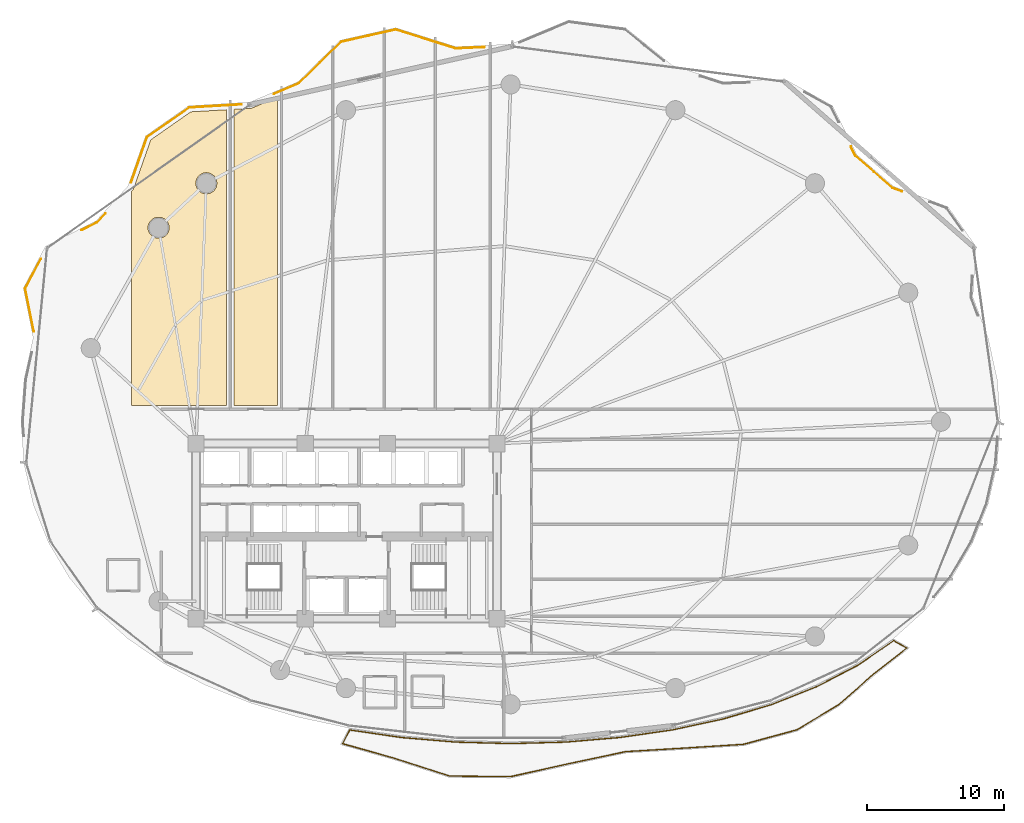
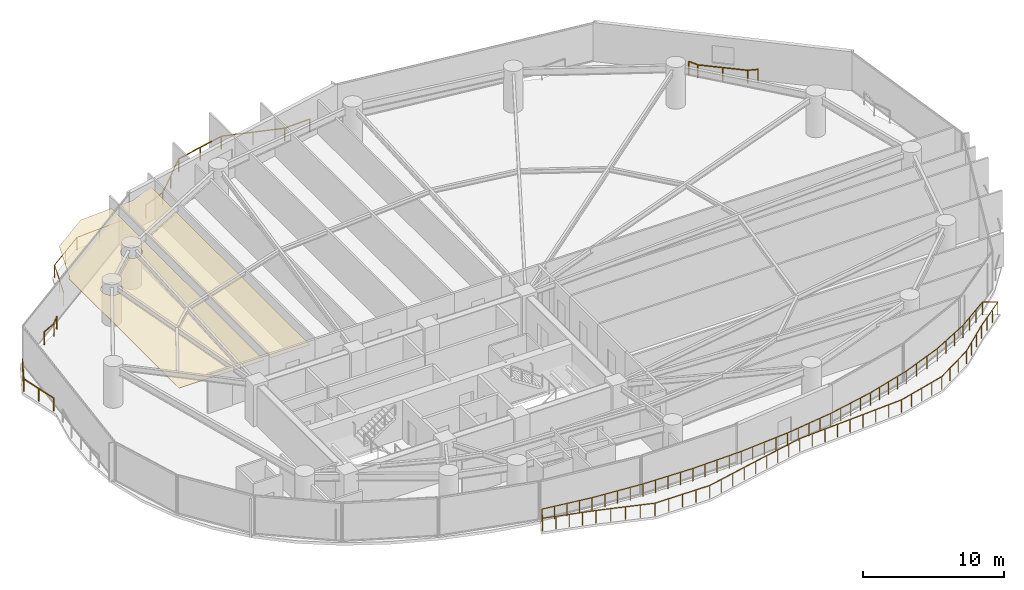
# One storey, part 31 of 32: 6 railings, 2 coverings.
"""IFC4 building model written with IfcOpenShell, lengths in metres."""

from ifc_helpers import new_model, si_unit, direction, frame, origin, origin_2d, place, context, subcontext, project, spatial, polyline, rectangle, outline, extrude, material, layer, layer_set, type_object, element, save


model = new_model("IFC4")

# Units and contexts
model_context = context("Model", 3, precision=1e-05, world=origin(), true_north=direction((0.0, 1.0)))
body_context = subcontext(model_context, "Body", "Model", "MODEL_VIEW")
ifc_project = project(units=[si_unit("LENGTHUNIT", "METRE"), si_unit("AREAUNIT", "SQUARE_METRE"), si_unit("VOLUMEUNIT", "CUBIC_METRE"), si_unit("PLANEANGLEUNIT", "RADIAN"), si_unit("MASSUNIT", "GRAM", prefix="KILO")], contexts=[model_context])

# Site, building, storey
site_placement = place(None, origin())
site = spatial("IfcSite", under=ifc_project, at=site_placement, CompositionType="ELEMENT")
building_placement = place(site_placement, origin())
building = spatial("IfcBuilding", under=site, at=building_placement, Name="Kazevale Care Tower and Concert Hall", CompositionType="ELEMENT")
storey_placement = place(building_placement, frame((0.0, 0.0, 38.39990234375)))
storey = spatial("IfcBuildingStorey", under=building, at=storey_placement, Name="L09", CompositionType="ELEMENT", Elevation=38.39990234375)

# Coverings
ifc_material_1 = material(Name="Acoustic Plaster and Hinoki Wood", Category="wood")
ifc_layer = layer(ifc_material_1, 0.0400390625)
ifc_layer_set = layer_set([ifc_layer], Name="Acoustic Plaster and Hinoki Wood")
covering_type = type_object("IfcCoveringType", Name="Acoustic Perforated Wood-Gypsum Ceiling", PredefinedType="CEILING", material=ifc_layer_set)
covering_1_placement = place(storey_placement, frame((0.0, 0.0, 2.710205078125)))
element("IfcCovering", 1, at=covering_1_placement, inside=storey, type_object=covering_type, Name="clg:L09:1", PredefinedType="CEILING", context=body_context, shape_type="SweptSolid", body=[
    extrude(outline(polyline([(24.219970703125, 60.805908203125), (24.219970703125, 39.205078125), (17.280029296875, 39.205078125), (17.280029296875, 54.822021484375), (17.4130859375, 54.966064453125), (18.69189453125, 58.60302734375), (21.6201171875, 60.652099609375), (24.219970703125, 60.805908203125)]), holes=[polyline([(23.48095703125, 55.72802734375), (23.31201171875, 55.98193359375), (23.05810546875, 56.15087890625), (22.760009765625, 56.2099609375), (22.4619140625, 56.15087890625), (22.2080078125, 55.98193359375), (22.0390625, 55.72802734375), (21.97998046875, 55.429931640625), (22.0390625, 55.132080078125), (22.2080078125, 54.8779296875), (22.4619140625, 54.708984375), (22.760009765625, 54.64990234375), (23.05810546875, 54.708984375), (23.31201171875, 54.8779296875), (23.48095703125, 55.132080078125), (23.5400390625, 55.429931640625), (23.48095703125, 55.72802734375)]), polyline([(20.034912109375, 52.33203125), (19.9189453125, 52.613037109375), (19.702880859375, 52.8291015625), (19.422119140625, 52.945068359375), (19.117919921875, 52.945068359375), (18.8369140625, 52.8291015625), (18.62109375, 52.613037109375), (18.5048828125, 52.33203125), (18.5048828125, 52.028076171875), (18.62109375, 51.7470703125), (18.8369140625, 51.531005859375), (19.117919921875, 51.4150390625), (19.422119140625, 51.4150390625), (19.702880859375, 51.531005859375), (19.9189453125, 51.7470703125), (20.034912109375, 52.028076171875), (20.034912109375, 52.33203125)])]), origin(), (0.0, 0.0, 1.0), 0.039794921875),
])
covering_2_placement = place(storey_placement, frame((0.0, 0.0, 2.710205078125)))
element("IfcCovering", 2, at=covering_2_placement, inside=storey, type_object=covering_type, Name="clg:L09:2", PredefinedType="CEILING", context=body_context, shape_type="SweptSolid", body=[
    extrude(outline(polyline([(24.780029296875, 39.205078125), (24.780029296875, 60.839111328125), (26.06005859375, 60.9150390625), (27.969970703125, 61.72900390625), (27.969970703125, 39.205078125), (24.780029296875, 39.205078125)])), origin(), (0.0, 0.0, 1.0), 0.039794921875),
])

# Railings
ifc_material_2 = material(Name="Anodised Bronze Aluminium and Laminated Glass", Category="aluminium")
railing_type = type_object("IfcRailingType", Name="Balcony and Terrace Balustrade 1120", PredefinedType="BALUSTRADE", material=ifc_material_2)
railing_1_placement = place(storey_placement, frame((10.15087890625, 44.5859375, 0.0)))
element("IfcRailing", 3, at=railing_1_placement, inside=storey, type_object=railing_type, Name="rail:L09:perim:2", PredefinedType="BALUSTRADE", context=body_context, shape_type="SweptSolid", body=[
    extrude(rectangle(XDim=0.048095703125, YDim=0.048095703125, at=origin_2d()), frame((0.0, 0.0, 1.09619140625), z_axis=(-0.197415517723, 0.980319903584, 0.0), x_axis=(-0.980319903584, -0.197415517723, 0.0)), (0.0, 0.0, 1.0), 3.21533203125),
    extrude(rectangle(XDim=0.048095703125, YDim=0.048095703125, at=origin_2d()), frame((-0.634765625, 3.152099609375, 1.09619140625), z_axis=(0.467294009077, 0.884101978892, 0.0), x_axis=(-0.884101978892, 0.467294009077, 0.0)), (0.0, 0.0, 1.0), 2.45654296875),
    extrude(rectangle(XDim=0.0419921875, YDim=0.0419921875, at=origin_2d()), origin(), (0.0, 0.0, 1.0), 1.072021484375),
    extrude(rectangle(XDim=0.0419921875, YDim=0.0419921875, at=origin_2d()), frame((-0.3173828125, 1.576171875, 0.0)), (0.0, 0.0, 1.0), 1.072021484375),
    extrude(rectangle(XDim=0.0419921875, YDim=0.0419921875, at=origin_2d()), frame((-0.634765625, 3.152099609375, 0.0)), (0.0, 0.0, 1.0), 1.072021484375),
    extrude(rectangle(XDim=0.0419921875, YDim=0.0419921875, at=origin_2d()), frame((-0.060791015625, 4.238037109375, 0.0)), (0.0, 0.0, 1.0), 1.072021484375),
    extrude(rectangle(XDim=0.0419921875, YDim=0.0419921875, at=origin_2d()), frame((0.51318359375, 5.323974609375, 0.0)), (0.0, 0.0, 1.0), 1.072021484375),
])
railing_2_placement = place(storey_placement, frame((13.639892578125, 52.0, 0.0)))
element("IfcRailing", 4, at=railing_2_placement, inside=storey, type_object=railing_type, Name="rail:L09:perim:3", PredefinedType="BALUSTRADE", context=body_context, shape_type="SweptSolid", body=[
    extrude(rectangle(XDim=0.048095703125, YDim=0.048095703125, at=origin_2d()), frame((0.0, 0.0, 1.09619140625), z_axis=(0.892998785329, 0.450059073235, 0.0), x_axis=(-0.450059073235, 0.892998785329, 0.0)), (0.0, 0.0, 1.0), 1.268798828125),
    extrude(rectangle(XDim=0.048095703125, YDim=0.048095703125, at=origin_2d()), frame((1.133056640625, 0.571044921875, 1.09619140625), z_axis=(0.677347108978, 0.735663573898, 0.0), x_axis=(-0.735663573898, 0.677347108978, 0.0)), (0.0, 0.0, 1.0), 0.8916015625),
    extrude(rectangle(XDim=0.0419921875, YDim=0.0419921875, at=origin_2d()), origin(), (0.0, 0.0, 1.0), 1.072021484375),
    extrude(rectangle(XDim=0.0419921875, YDim=0.0419921875, at=origin_2d()), frame((1.133056640625, 0.571044921875, 0.0)), (0.0, 0.0, 1.0), 1.072021484375),
    extrude(rectangle(XDim=0.0419921875, YDim=0.0419921875, at=origin_2d()), frame((1.737060546875, 1.22705078125, 0.0)), (0.0, 0.0, 1.0), 1.072021484375),
])
railing_3_placement = place(storey_placement, frame((17.256103515625, 55.485107421875, 0.0)))
element("IfcRailing", 5, at=railing_3_placement, inside=storey, type_object=railing_type, Name="rail:L09:perim:4", PredefinedType="BALUSTRADE", context=body_context, shape_type="SweptSolid", body=[
    extrude(rectangle(XDim=0.048095703125, YDim=0.048095703125, at=origin_2d()), frame((0.0, 0.0, 1.09619140625), z_axis=(0.331789638428, 0.943353399226, 0.0), x_axis=(-0.943353399226, 0.331789638428, 0.0)), (0.0, 0.0, 1.0), 3.520263671875),
    extrude(rectangle(XDim=0.048095703125, YDim=0.048095703125, at=origin_2d()), frame((1.16796875, 3.32080078125, 1.09619140625), z_axis=(0.819317150276, 0.573340568304, 0.0), x_axis=(-0.573340568304, 0.819317150276, 0.0)), (0.0, 0.0, 1.0), 3.767578125),
    extrude(rectangle(XDim=0.048095703125, YDim=0.048095703125, at=origin_2d()), frame((4.2548828125, 5.48095703125, 1.09619140625), z_axis=(0.998243706138, 0.05924105971, 0.0), x_axis=(-0.05924105971, 0.998243706138, 0.0)), (0.0, 0.0, 1.0), 3.832763671875),
    extrude(rectangle(XDim=0.0419921875, YDim=0.0419921875, at=origin_2d()), origin(), (0.0, 0.0, 1.0), 1.072021484375),
    extrude(rectangle(XDim=0.0419921875, YDim=0.0419921875, at=origin_2d()), frame((0.583984375, 1.660400390625, 0.0)), (0.0, 0.0, 1.0), 1.072021484375),
    extrude(rectangle(XDim=0.0419921875, YDim=0.0419921875, at=origin_2d()), frame((1.16796875, 3.32080078125, 0.0)), (0.0, 0.0, 1.0), 1.072021484375),
    extrude(rectangle(XDim=0.0419921875, YDim=0.0419921875, at=origin_2d()), frame((2.71142578125, 4.40087890625, 0.0)), (0.0, 0.0, 1.0), 1.072021484375),
    extrude(rectangle(XDim=0.0419921875, YDim=0.0419921875, at=origin_2d()), frame((4.2548828125, 5.48095703125, 0.0)), (0.0, 0.0, 1.0), 1.072021484375),
    extrude(rectangle(XDim=0.0419921875, YDim=0.0419921875, at=origin_2d()), frame((6.16796875, 5.594482421875, 0.0)), (0.0, 0.0, 1.0), 1.072021484375),
    extrude(rectangle(XDim=0.0419921875, YDim=0.0419921875, at=origin_2d()), frame((8.080810546875, 5.7080078125, 0.0)), (0.0, 0.0, 1.0), 1.072021484375),
])
railing_4_placement = place(storey_placement, frame((27.69091796875, 61.9580078125, 0.0)))
element("IfcRailing", 6, at=railing_4_placement, inside=storey, type_object=railing_type, Name="rail:L09:perim:5", PredefinedType="BALUSTRADE", context=body_context, shape_type="SweptSolid", body=[
    extrude(rectangle(XDim=0.048095703125, YDim=0.048095703125, at=origin_2d()), frame((0.0, 0.0, 1.09619140625), z_axis=(0.920032063091, 0.391843084517, 0.0), x_axis=(-0.391843084517, 0.920032063091, 0.0)), (0.0, 0.0, 1.0), 2.01611328125),
    extrude(rectangle(XDim=0.048095703125, YDim=0.048095703125, at=origin_2d()), frame((1.85498046875, 0.7900390625, 1.09619140625), z_axis=(0.711782228396, 0.702400213083, 0.0), x_axis=(-0.702400213083, 0.711782228396, 0.0)), (0.0, 0.0, 1.0), 4.293701171875),
    extrude(rectangle(XDim=0.048095703125, YDim=0.048095703125, at=origin_2d()), frame((4.9111328125, 3.805908203125, 1.09619140625), z_axis=(0.975507116128, 0.219967875798, 0.0), x_axis=(-0.219967875798, 0.975507116128, 0.0)), (0.0, 0.0, 1.0), 4.09228515625),
    extrude(rectangle(XDim=0.048095703125, YDim=0.048095703125, at=origin_2d()), frame((8.903076171875, 4.7060546875, 1.09619140625), z_axis=(0.953872379176, -0.300212398553, 0.0), x_axis=(0.300212398553, 0.953872379176, 0.0)), (0.0, 0.0, 1.0), 4.590576171875),
    extrude(rectangle(XDim=0.048095703125, YDim=0.048095703125, at=origin_2d()), frame((13.281982421875, 3.327880859375, 1.09619140625), z_axis=(0.999070924125, 0.043096270926, 0.0), x_axis=(-0.043096270926, 0.999070924125, 0.0)), (0.0, 0.0, 1.0), 2.113037109375),
    extrude(rectangle(XDim=0.0419921875, YDim=0.0419921875, at=origin_2d()), origin(), (0.0, 0.0, 1.0), 1.072021484375),
    extrude(rectangle(XDim=0.0419921875, YDim=0.0419921875, at=origin_2d()), frame((1.85498046875, 0.7900390625, 0.0)), (0.0, 0.0, 1.0), 1.072021484375),
    extrude(rectangle(XDim=0.0419921875, YDim=0.0419921875, at=origin_2d()), frame((3.383056640625, 2.2978515625, 0.0)), (0.0, 0.0, 1.0), 1.072021484375),
    extrude(rectangle(XDim=0.0419921875, YDim=0.0419921875, at=origin_2d()), frame((4.9111328125, 3.805908203125, 0.0)), (0.0, 0.0, 1.0), 1.072021484375),
    extrude(rectangle(XDim=0.0419921875, YDim=0.0419921875, at=origin_2d()), frame((6.9072265625, 4.255859375, 0.0)), (0.0, 0.0, 1.0), 1.072021484375),
    extrude(rectangle(XDim=0.0419921875, YDim=0.0419921875, at=origin_2d()), frame((8.903076171875, 4.7060546875, 0.0)), (0.0, 0.0, 1.0), 1.072021484375),
    extrude(rectangle(XDim=0.0419921875, YDim=0.0419921875, at=origin_2d()), frame((11.092529296875, 4.01708984375, 0.0)), (0.0, 0.0, 1.0), 1.072021484375),
    extrude(rectangle(XDim=0.0419921875, YDim=0.0419921875, at=origin_2d()), frame((13.281982421875, 3.327880859375, 0.0)), (0.0, 0.0, 1.0), 1.072021484375),
    extrude(rectangle(XDim=0.0419921875, YDim=0.0419921875, at=origin_2d()), frame((15.39306640625, 3.4189453125, 0.0)), (0.0, 0.0, 1.0), 1.072021484375),
])
railing_5_placement = place(storey_placement, frame((69.863037109375, 58.112060546875, 0.0)))
element("IfcRailing", 7, at=railing_5_placement, inside=storey, type_object=railing_type, Name="rail:L09:perim:9", PredefinedType="BALUSTRADE", context=body_context, shape_type="SweptSolid", body=[
    extrude(rectangle(XDim=0.048095703125, YDim=0.048095703125, at=origin_2d()), frame((0.0, 0.0, 1.09619140625), z_axis=(0.444393893797, -0.895831494845, 0.0), x_axis=(0.895831494845, 0.444393893797, 0.0)), (0.0, 0.0, 1.0), 0.762451171875),
    extrude(rectangle(XDim=0.048095703125, YDim=0.048095703125, at=origin_2d()), frame((0.3388671875, -0.68310546875, 1.09619140625), z_axis=(0.75707551803, -0.653327375823, 0.0), x_axis=(0.653327375823, 0.75707551803, 0.0)), (0.0, 0.0, 1.0), 3.586181640625),
    extrude(rectangle(XDim=0.048095703125, YDim=0.048095703125, at=origin_2d()), frame((3.053955078125, -3.026123046875, 1.09619140625), z_axis=(0.936649557244, -0.350267907344, 0.0), x_axis=(0.350267907344, 0.936649557244, 0.0)), (0.0, 0.0, 1.0), 0.750732421875),
    extrude(rectangle(XDim=0.0419921875, YDim=0.0419921875, at=origin_2d()), origin(), (0.0, 0.0, 1.0), 1.072021484375),
    extrude(rectangle(XDim=0.0419921875, YDim=0.0419921875, at=origin_2d()), frame((0.3388671875, -0.68310546875, 0.0)), (0.0, 0.0, 1.0), 1.072021484375),
    extrude(rectangle(XDim=0.0419921875, YDim=0.0419921875, at=origin_2d()), frame((1.6962890625, -1.8544921875, 0.0)), (0.0, 0.0, 1.0), 1.072021484375),
    extrude(rectangle(XDim=0.0419921875, YDim=0.0419921875, at=origin_2d()), frame((3.053955078125, -3.026123046875, 0.0)), (0.0, 0.0, 1.0), 1.072021484375),
    extrude(rectangle(XDim=0.0419921875, YDim=0.0419921875, at=origin_2d()), frame((3.757080078125, -3.2890625, 0.0)), (0.0, 0.0, 1.0), 1.072021484375),
])
railing_6_placement = place(storey_placement, frame((33.239990234375, 15.469970703125, 0.0)))
element("IfcRailing", 8, at=railing_6_placement, inside=storey, type_object=railing_type, Name="rail:L09:balcony", PredefinedType="BALUSTRADE", context=body_context, shape_type="SweptSolid", body=[
    extrude(rectangle(XDim=0.048095703125, YDim=0.048095703125, at=origin_2d()), frame((0.0, 0.0, 1.09619140625), z_axis=(0.98954153526, -0.144248223541, 0.0), x_axis=(0.144248223541, 0.98954153526, 0.0)), (0.0, 0.0, 1.0), 3.820068359375),
    extrude(rectangle(XDim=0.048095703125, YDim=0.048095703125, at=origin_2d()), frame((3.780029296875, -0.551025390625, 1.09619140625), z_axis=(0.996491809711, -0.083690341016, 0.0), x_axis=(0.083690341016, 0.996491809711, 0.0)), (0.0, 0.0, 1.0), 3.97900390625),
    extrude(rectangle(XDim=0.048095703125, YDim=0.048095703125, at=origin_2d()), frame((7.7451171875, -0.884033203125, 1.09619140625), z_axis=(0.999619139625, -0.027596660954, 0.0), x_axis=(0.027596660954, 0.999619139625, 0.0)), (0.0, 0.0, 1.0), 4.016357421875),
    extrude(rectangle(XDim=0.048095703125, YDim=0.048095703125, at=origin_2d()), frame((11.760009765625, -0.994873046875, 1.09619140625), z_axis=(0.999619139625, 0.027596660954, 0.0), x_axis=(-0.027596660954, 0.999619139625, 0.0)), (0.0, 0.0, 1.0), 4.016357421875),
    extrude(rectangle(XDim=0.048095703125, YDim=0.048095703125, at=origin_2d()), frame((15.77490234375, -0.884033203125, 1.09619140625), z_axis=(0.996491809711, 0.083690341016, 0.0), x_axis=(-0.083690341016, 0.996491809711, 0.0)), (0.0, 0.0, 1.0), 3.97900390625),
    extrude(rectangle(XDim=0.048095703125, YDim=0.048095703125, at=origin_2d()), frame((19.739990234375, -0.551025390625, 1.09619140625), z_axis=(0.989562148583, 0.144106745477, 0.0), x_axis=(-0.144106745477, 0.989562148583, 0.0)), (0.0, 0.0, 1.0), 3.90673828125),
    extrude(rectangle(XDim=0.048095703125, YDim=0.048095703125, at=origin_2d()), frame((23.60595703125, 0.011962890625, 1.09619140625), z_axis=(0.977622623243, 0.210366362622, 0.0), x_axis=(-0.210366362622, 0.977622623243, 0.0)), (0.0, 0.0, 1.0), 3.80322265625),
    extrude(rectangle(XDim=0.048095703125, YDim=0.048095703125, at=origin_2d()), frame((27.323974609375, 0.81201171875, 1.09619140625), z_axis=(0.958576059845, 0.28483668565, 0.0), x_axis=(-0.28483668565, 0.958576059845, 0.0)), (0.0, 0.0, 1.0), 3.67626953125),
    extrude(rectangle(XDim=0.048095703125, YDim=0.048095703125, at=origin_2d()), frame((30.847900390625, 1.859130859375, 1.09619140625), z_axis=(0.929364745906, 0.369162794803, 0.0), x_axis=(-0.369162794803, 0.929364745906, 0.0)), (0.0, 0.0, 1.0), 3.534912109375),
    extrude(rectangle(XDim=0.048095703125, YDim=0.048095703125, at=origin_2d()), frame((34.133056640625, 3.1640625, 1.09619140625), z_axis=(0.886249621896, 0.463207952965, 0.0), x_axis=(-0.463207952965, 0.886249621896, 0.0)), (0.0, 0.0, 1.0), 3.3916015625),
    extrude(rectangle(XDim=0.048095703125, YDim=0.048095703125, at=origin_2d()), frame((37.138916015625, 4.735107421875, 1.09619140625), z_axis=(0.825224295989, 0.564805153402, 0.0), x_axis=(-0.564805153402, 0.825224295989, 0.0)), (0.0, 0.0, 1.0), 3.17626953125),
    extrude(rectangle(XDim=0.048095703125, YDim=0.048095703125, at=origin_2d()), frame((39.760009765625, 6.529052734375, 1.09619140625), z_axis=(0.870159360676, -0.492770420203, 0.0), x_axis=(0.492770420203, 0.870159360676, 0.0)), (0.0, 0.0, 1.0), 1.093994140625),
    extrude(rectangle(XDim=0.048095703125, YDim=0.048095703125, at=origin_2d()), frame((40.7119140625, 5.989990234375, 1.09619140625), z_axis=(-0.785735455987, -0.618562683328, 0.0), x_axis=(0.618562683328, -0.785735455987, 0.0)), (0.0, 0.0, 1.0), 3.126708984375),
    extrude(rectangle(XDim=0.048095703125, YDim=0.048095703125, at=origin_2d()), frame((38.255126953125, 4.055908203125, 1.09619140625), z_axis=(-0.751427777247, -0.65981534961, 0.0), x_axis=(0.65981534961, -0.751427777247, 0.0)), (0.0, 0.0, 1.0), 3.320556640625),
    extrude(rectangle(XDim=0.048095703125, YDim=0.048095703125, at=origin_2d()), frame((35.760009765625, 1.864990234375, 1.09619140625), z_axis=(-0.856766273863, -0.515704907841, 0.0), x_axis=(0.515704907841, -0.856766273863, 0.0)), (0.0, 0.0, 1.0), 3.59130859375),
    extrude(rectangle(XDim=0.048095703125, YDim=0.048095703125, at=origin_2d()), frame((32.68310546875, 0.012939453125, 1.09619140625), z_axis=(-0.965005969674, -0.262227913262, 0.0), x_axis=(0.262227913262, -0.965005969674, 0.0)), (0.0, 0.0, 1.0), 4.04150390625),
    extrude(rectangle(XDim=0.048095703125, YDim=0.048095703125, at=origin_2d()), frame((28.782958984375, -1.046875, 1.09619140625), z_axis=(-0.997983454287, -0.063474600985, 0.0), x_axis=(0.063474600985, -0.997983454287, 0.0)), (0.0, 0.0, 1.0), 4.380859375),
    extrude(rectangle(XDim=0.048095703125, YDim=0.048095703125, at=origin_2d()), frame((24.410888671875, -1.324951171875, 1.09619140625), z_axis=(-0.998168391901, -0.060496788431, 0.0), x_axis=(0.060496788431, -0.998168391901, 0.0)), (0.0, 0.0, 1.0), 4.265625),
    extrude(rectangle(XDim=0.048095703125, YDim=0.048095703125, at=origin_2d()), frame((20.153076171875, -1.5830078125, 1.09619140625), z_axis=(-0.978159147113, -0.207857361954, 0.0), x_axis=(0.207857361954, -0.978159147113, 0.0)), (0.0, 0.0, 1.0), 4.189697265625),
    extrude(rectangle(XDim=0.048095703125, YDim=0.048095703125, at=origin_2d()), frame((16.054931640625, -2.453857421875, 1.09619140625), z_axis=(-0.976246906453, -0.216660973968, 0.0), x_axis=(0.216660973968, -0.976246906453, 0.0)), (0.0, 0.0, 1.0), 4.41259765625),
    extrude(rectangle(XDim=0.048095703125, YDim=0.048095703125, at=origin_2d()), frame((11.7470703125, -3.409912109375, 1.09619140625), z_axis=(-0.999953281583, 0.009666160134, 0.0), x_axis=(-0.009666160134, -0.999953281583, 0.0)), (0.0, 0.0, 1.0), 4.4453125),
    extrude(rectangle(XDim=0.048095703125, YDim=0.048095703125, at=origin_2d()), frame((7.302001953125, -3.366943359375, 1.09619140625), z_axis=(-0.951876057109, 0.306483232661, 0.0), x_axis=(-0.306483232661, -0.951876057109, 0.0)), (0.0, 0.0, 1.0), 4.283935546875),
    extrude(rectangle(XDim=0.048095703125, YDim=0.048095703125, at=origin_2d()), frame((3.22412109375, -2.053955078125, 1.09619140625), z_axis=(-0.962592237847, 0.270954209482, 0.0), x_axis=(-0.270954209482, -0.962592237847, 0.0)), (0.0, 0.0, 1.0), 3.89697265625),
    extrude(rectangle(XDim=0.048095703125, YDim=0.048095703125, at=origin_2d()), frame((-0.527099609375, -0.998046875, 1.09619140625), z_axis=(0.467002973118, 0.884255745302, 0.0), x_axis=(-0.884255745302, 0.467002973118, 0.0)), (0.0, 0.0, 1.0), 1.128662109375),
    extrude(rectangle(XDim=0.0419921875, YDim=0.0419921875, at=origin_2d()), origin(), (0.0, 0.0, 1.0), 1.072021484375),
    extrude(rectangle(XDim=0.0419921875, YDim=0.0419921875, at=origin_2d()), frame((0.945068359375, -0.1376953125, 0.0)), (0.0, 0.0, 1.0), 1.072021484375),
    extrude(rectangle(XDim=0.0419921875, YDim=0.0419921875, at=origin_2d()), frame((1.89013671875, -0.275390625, 0.0)), (0.0, 0.0, 1.0), 1.072021484375),
    extrude(rectangle(XDim=0.0419921875, YDim=0.0419921875, at=origin_2d()), frame((2.8349609375, -0.413330078125, 0.0)), (0.0, 0.0, 1.0), 1.072021484375),
    extrude(rectangle(XDim=0.0419921875, YDim=0.0419921875, at=origin_2d()), frame((3.780029296875, -0.551025390625, 0.0)), (0.0, 0.0, 1.0), 1.072021484375),
    extrude(rectangle(XDim=0.0419921875, YDim=0.0419921875, at=origin_2d()), frame((4.771240234375, -0.63427734375, 0.0)), (0.0, 0.0, 1.0), 1.072021484375),
    extrude(rectangle(XDim=0.0419921875, YDim=0.0419921875, at=origin_2d()), frame((5.7626953125, -0.717529296875, 0.0)), (0.0, 0.0, 1.0), 1.072021484375),
    extrude(rectangle(XDim=0.0419921875, YDim=0.0419921875, at=origin_2d()), frame((6.75390625, -0.80078125, 0.0)), (0.0, 0.0, 1.0), 1.072021484375),
    extrude(rectangle(XDim=0.0419921875, YDim=0.0419921875, at=origin_2d()), frame((7.7451171875, -0.884033203125, 0.0)), (0.0, 0.0, 1.0), 1.072021484375),
    extrude(rectangle(XDim=0.0419921875, YDim=0.0419921875, at=origin_2d()), frame((8.748779296875, -0.91162109375, 0.0)), (0.0, 0.0, 1.0), 1.072021484375),
    extrude(rectangle(XDim=0.0419921875, YDim=0.0419921875, at=origin_2d()), frame((9.75244140625, -0.939453125, 0.0)), (0.0, 0.0, 1.0), 1.072021484375),
    extrude(rectangle(XDim=0.0419921875, YDim=0.0419921875, at=origin_2d()), frame((10.75634765625, -0.96728515625, 0.0)), (0.0, 0.0, 1.0), 1.072021484375),
    extrude(rectangle(XDim=0.0419921875, YDim=0.0419921875, at=origin_2d()), frame((11.760009765625, -0.994873046875, 0.0)), (0.0, 0.0, 1.0), 1.072021484375),
    extrude(rectangle(XDim=0.0419921875, YDim=0.0419921875, at=origin_2d()), frame((12.763671875, -0.96728515625, 0.0)), (0.0, 0.0, 1.0), 1.072021484375),
    extrude(rectangle(XDim=0.0419921875, YDim=0.0419921875, at=origin_2d()), frame((13.767578125, -0.939453125, 0.0)), (0.0, 0.0, 1.0), 1.072021484375),
    extrude(rectangle(XDim=0.0419921875, YDim=0.0419921875, at=origin_2d()), frame((14.771240234375, -0.91162109375, 0.0)), (0.0, 0.0, 1.0), 1.072021484375),
    extrude(rectangle(XDim=0.0419921875, YDim=0.0419921875, at=origin_2d()), frame((15.77490234375, -0.884033203125, 0.0)), (0.0, 0.0, 1.0), 1.072021484375),
    extrude(rectangle(XDim=0.0419921875, YDim=0.0419921875, at=origin_2d()), frame((16.76611328125, -0.80078125, 0.0)), (0.0, 0.0, 1.0), 1.072021484375),
    extrude(rectangle(XDim=0.0419921875, YDim=0.0419921875, at=origin_2d()), frame((17.75732421875, -0.717529296875, 0.0)), (0.0, 0.0, 1.0), 1.072021484375),
    extrude(rectangle(XDim=0.0419921875, YDim=0.0419921875, at=origin_2d()), frame((18.748779296875, -0.63427734375, 0.0)), (0.0, 0.0, 1.0), 1.072021484375),
    extrude(rectangle(XDim=0.0419921875, YDim=0.0419921875, at=origin_2d()), frame((19.739990234375, -0.551025390625, 0.0)), (0.0, 0.0, 1.0), 1.072021484375),
    extrude(rectangle(XDim=0.0419921875, YDim=0.0419921875, at=origin_2d()), frame((20.70654296875, -0.41015625, 0.0)), (0.0, 0.0, 1.0), 1.072021484375),
    extrude(rectangle(XDim=0.0419921875, YDim=0.0419921875, at=origin_2d()), frame((21.6728515625, -0.26953125, 0.0)), (0.0, 0.0, 1.0), 1.072021484375),
    extrude(rectangle(XDim=0.0419921875, YDim=0.0419921875, at=origin_2d()), frame((22.639404296875, -0.12890625, 0.0)), (0.0, 0.0, 1.0), 1.072021484375),
    extrude(rectangle(XDim=0.0419921875, YDim=0.0419921875, at=origin_2d()), frame((23.60595703125, 0.011962890625, 0.0)), (0.0, 0.0, 1.0), 1.072021484375),
    extrude(rectangle(XDim=0.0419921875, YDim=0.0419921875, at=origin_2d()), frame((24.535400390625, 0.2119140625, 0.0)), (0.0, 0.0, 1.0), 1.072021484375),
    extrude(rectangle(XDim=0.0419921875, YDim=0.0419921875, at=origin_2d()), frame((25.46484375, 0.412109375, 0.0)), (0.0, 0.0, 1.0), 1.072021484375),
    extrude(rectangle(XDim=0.0419921875, YDim=0.0419921875, at=origin_2d()), frame((26.39453125, 0.612060546875, 0.0)), (0.0, 0.0, 1.0), 1.072021484375),
    extrude(rectangle(XDim=0.0419921875, YDim=0.0419921875, at=origin_2d()), frame((27.323974609375, 0.81201171875, 0.0)), (0.0, 0.0, 1.0), 1.072021484375),
    extrude(rectangle(XDim=0.0419921875, YDim=0.0419921875, at=origin_2d()), frame((28.205078125, 1.07373046875, 0.0)), (0.0, 0.0, 1.0), 1.072021484375),
    extrude(rectangle(XDim=0.0419921875, YDim=0.0419921875, at=origin_2d()), frame((29.0859375, 1.33544921875, 0.0)), (0.0, 0.0, 1.0), 1.072021484375),
    extrude(rectangle(XDim=0.0419921875, YDim=0.0419921875, at=origin_2d()), frame((29.966796875, 1.597412109375, 0.0)), (0.0, 0.0, 1.0), 1.072021484375),
    extrude(rectangle(XDim=0.0419921875, YDim=0.0419921875, at=origin_2d()), frame((30.847900390625, 1.859130859375, 0.0)), (0.0, 0.0, 1.0), 1.072021484375),
    extrude(rectangle(XDim=0.0419921875, YDim=0.0419921875, at=origin_2d()), frame((31.94287109375, 2.294189453125, 0.0)), (0.0, 0.0, 1.0), 1.072021484375),
    extrude(rectangle(XDim=0.0419921875, YDim=0.0419921875, at=origin_2d()), frame((33.0380859375, 2.72900390625, 0.0)), (0.0, 0.0, 1.0), 1.072021484375),
    extrude(rectangle(XDim=0.0419921875, YDim=0.0419921875, at=origin_2d()), frame((34.133056640625, 3.1640625, 0.0)), (0.0, 0.0, 1.0), 1.072021484375),
    extrude(rectangle(XDim=0.0419921875, YDim=0.0419921875, at=origin_2d()), frame((35.135009765625, 3.687744140625, 0.0)), (0.0, 0.0, 1.0), 1.072021484375),
    extrude(rectangle(XDim=0.0419921875, YDim=0.0419921875, at=origin_2d()), frame((36.136962890625, 4.21142578125, 0.0)), (0.0, 0.0, 1.0), 1.072021484375),
    extrude(rectangle(XDim=0.0419921875, YDim=0.0419921875, at=origin_2d()), frame((37.138916015625, 4.735107421875, 0.0)), (0.0, 0.0, 1.0), 1.072021484375),
    extrude(rectangle(XDim=0.0419921875, YDim=0.0419921875, at=origin_2d()), frame((38.0126953125, 5.3330078125, 0.0)), (0.0, 0.0, 1.0), 1.072021484375),
    extrude(rectangle(XDim=0.0419921875, YDim=0.0419921875, at=origin_2d()), frame((38.88623046875, 5.93115234375, 0.0)), (0.0, 0.0, 1.0), 1.072021484375),
    extrude(rectangle(XDim=0.0419921875, YDim=0.0419921875, at=origin_2d()), frame((39.760009765625, 6.529052734375, 0.0)), (0.0, 0.0, 1.0), 1.072021484375),
    extrude(rectangle(XDim=0.0419921875, YDim=0.0419921875, at=origin_2d()), frame((40.7119140625, 5.989990234375, 0.0)), (0.0, 0.0, 1.0), 1.072021484375),
    extrude(rectangle(XDim=0.0419921875, YDim=0.0419921875, at=origin_2d()), frame((39.89306640625, 5.34521484375, 0.0)), (0.0, 0.0, 1.0), 1.072021484375),
    extrude(rectangle(XDim=0.0419921875, YDim=0.0419921875, at=origin_2d()), frame((39.073974609375, 4.70068359375, 0.0)), (0.0, 0.0, 1.0), 1.072021484375),
    extrude(rectangle(XDim=0.0419921875, YDim=0.0419921875, at=origin_2d()), frame((38.255126953125, 4.055908203125, 0.0)), (0.0, 0.0, 1.0), 1.072021484375),
    extrude(rectangle(XDim=0.0419921875, YDim=0.0419921875, at=origin_2d()), frame((37.42333984375, 3.32568359375, 0.0)), (0.0, 0.0, 1.0), 1.072021484375),
    extrude(rectangle(XDim=0.0419921875, YDim=0.0419921875, at=origin_2d()), frame((36.591796875, 2.59521484375, 0.0)), (0.0, 0.0, 1.0), 1.072021484375),
    extrude(rectangle(XDim=0.0419921875, YDim=0.0419921875, at=origin_2d()), frame((35.760009765625, 1.864990234375, 0.0)), (0.0, 0.0, 1.0), 1.072021484375),
    extrude(rectangle(XDim=0.0419921875, YDim=0.0419921875, at=origin_2d()), frame((34.734375, 1.24755859375, 0.0)), (0.0, 0.0, 1.0), 1.072021484375),
    extrude(rectangle(XDim=0.0419921875, YDim=0.0419921875, at=origin_2d()), frame((33.708740234375, 0.63037109375, 0.0)), (0.0, 0.0, 1.0), 1.072021484375),
    extrude(rectangle(XDim=0.0419921875, YDim=0.0419921875, at=origin_2d()), frame((32.68310546875, 0.012939453125, 0.0)), (0.0, 0.0, 1.0), 1.072021484375),
    extrude(rectangle(XDim=0.0419921875, YDim=0.0419921875, at=origin_2d()), frame((31.7080078125, -0.251953125, 0.0)), (0.0, 0.0, 1.0), 1.072021484375),
    extrude(rectangle(XDim=0.0419921875, YDim=0.0419921875, at=origin_2d()), frame((30.73291015625, -0.51708984375, 0.0)), (0.0, 0.0, 1.0), 1.072021484375),
    extrude(rectangle(XDim=0.0419921875, YDim=0.0419921875, at=origin_2d()), frame((29.758056640625, -0.781982421875, 0.0)), (0.0, 0.0, 1.0), 1.072021484375),
    extrude(rectangle(XDim=0.0419921875, YDim=0.0419921875, at=origin_2d()), frame((28.782958984375, -1.046875, 0.0)), (0.0, 0.0, 1.0), 1.072021484375),
    extrude(rectangle(XDim=0.0419921875, YDim=0.0419921875, at=origin_2d()), frame((27.68994140625, -1.116455078125, 0.0)), (0.0, 0.0, 1.0), 1.072021484375),
    extrude(rectangle(XDim=0.0419921875, YDim=0.0419921875, at=origin_2d()), frame((26.596923828125, -1.18603515625, 0.0)), (0.0, 0.0, 1.0), 1.072021484375),
    extrude(rectangle(XDim=0.0419921875, YDim=0.0419921875, at=origin_2d()), frame((25.50390625, -1.25537109375, 0.0)), (0.0, 0.0, 1.0), 1.072021484375),
    extrude(rectangle(XDim=0.0419921875, YDim=0.0419921875, at=origin_2d()), frame((24.410888671875, -1.324951171875, 0.0)), (0.0, 0.0, 1.0), 1.072021484375),
    extrude(rectangle(XDim=0.0419921875, YDim=0.0419921875, at=origin_2d()), frame((23.346435546875, -1.389404296875, 0.0)), (0.0, 0.0, 1.0), 1.072021484375),
    extrude(rectangle(XDim=0.0419921875, YDim=0.0419921875, at=origin_2d()), frame((22.281982421875, -1.4541015625, 0.0)), (0.0, 0.0, 1.0), 1.072021484375),
    extrude(rectangle(XDim=0.0419921875, YDim=0.0419921875, at=origin_2d()), frame((21.217529296875, -1.5185546875, 0.0)), (0.0, 0.0, 1.0), 1.072021484375),
    extrude(rectangle(XDim=0.0419921875, YDim=0.0419921875, at=origin_2d()), frame((20.153076171875, -1.5830078125, 0.0)), (0.0, 0.0, 1.0), 1.072021484375),
    extrude(rectangle(XDim=0.0419921875, YDim=0.0419921875, at=origin_2d()), frame((19.12841796875, -1.80078125, 0.0)), (0.0, 0.0, 1.0), 1.072021484375),
    extrude(rectangle(XDim=0.0419921875, YDim=0.0419921875, at=origin_2d()), frame((18.10400390625, -2.0185546875, 0.0)), (0.0, 0.0, 1.0), 1.072021484375),
    extrude(rectangle(XDim=0.0419921875, YDim=0.0419921875, at=origin_2d()), frame((17.07958984375, -2.236083984375, 0.0)), (0.0, 0.0, 1.0), 1.072021484375),
    extrude(rectangle(XDim=0.0419921875, YDim=0.0419921875, at=origin_2d()), frame((16.054931640625, -2.453857421875, 0.0)), (0.0, 0.0, 1.0), 1.072021484375),
    extrude(rectangle(XDim=0.0419921875, YDim=0.0419921875, at=origin_2d()), frame((14.97802734375, -2.69287109375, 0.0)), (0.0, 0.0, 1.0), 1.072021484375),
    extrude(rectangle(XDim=0.0419921875, YDim=0.0419921875, at=origin_2d()), frame((13.90087890625, -2.931884765625, 0.0)), (0.0, 0.0, 1.0), 1.072021484375),
    extrude(rectangle(XDim=0.0419921875, YDim=0.0419921875, at=origin_2d()), frame((12.823974609375, -3.1708984375, 0.0)), (0.0, 0.0, 1.0), 1.072021484375),
    extrude(rectangle(XDim=0.0419921875, YDim=0.0419921875, at=origin_2d()), frame((11.7470703125, -3.409912109375, 0.0)), (0.0, 0.0, 1.0), 1.072021484375),
    extrude(rectangle(XDim=0.0419921875, YDim=0.0419921875, at=origin_2d()), frame((10.6357421875, -3.399169921875, 0.0)), (0.0, 0.0, 1.0), 1.072021484375),
    extrude(rectangle(XDim=0.0419921875, YDim=0.0419921875, at=origin_2d()), frame((9.5244140625, -3.388427734375, 0.0)), (0.0, 0.0, 1.0), 1.072021484375),
    extrude(rectangle(XDim=0.0419921875, YDim=0.0419921875, at=origin_2d()), frame((8.413330078125, -3.377685546875, 0.0)), (0.0, 0.0, 1.0), 1.072021484375),
    extrude(rectangle(XDim=0.0419921875, YDim=0.0419921875, at=origin_2d()), frame((7.302001953125, -3.366943359375, 0.0)), (0.0, 0.0, 1.0), 1.072021484375),
    extrude(rectangle(XDim=0.0419921875, YDim=0.0419921875, at=origin_2d()), frame((6.282470703125, -3.03857421875, 0.0)), (0.0, 0.0, 1.0), 1.072021484375),
    extrude(rectangle(XDim=0.0419921875, YDim=0.0419921875, at=origin_2d()), frame((5.26318359375, -2.71044921875, 0.0)), (0.0, 0.0, 1.0), 1.072021484375),
    extrude(rectangle(XDim=0.0419921875, YDim=0.0419921875, at=origin_2d()), frame((4.24365234375, -2.38232421875, 0.0)), (0.0, 0.0, 1.0), 1.072021484375),
    extrude(rectangle(XDim=0.0419921875, YDim=0.0419921875, at=origin_2d()), frame((3.22412109375, -2.053955078125, 0.0)), (0.0, 0.0, 1.0), 1.072021484375),
    extrude(rectangle(XDim=0.0419921875, YDim=0.0419921875, at=origin_2d()), frame((2.286376953125, -1.7900390625, 0.0)), (0.0, 0.0, 1.0), 1.072021484375),
    extrude(rectangle(XDim=0.0419921875, YDim=0.0419921875, at=origin_2d()), frame((1.3486328125, -1.52587890625, 0.0)), (0.0, 0.0, 1.0), 1.072021484375),
    extrude(rectangle(XDim=0.0419921875, YDim=0.0419921875, at=origin_2d()), frame((0.41064453125, -1.261962890625, 0.0)), (0.0, 0.0, 1.0), 1.072021484375),
    extrude(rectangle(XDim=0.0419921875, YDim=0.0419921875, at=origin_2d()), frame((-0.527099609375, -0.998046875, 0.0)), (0.0, 0.0, 1.0), 1.072021484375),
])

save(model, "model.ifc")
